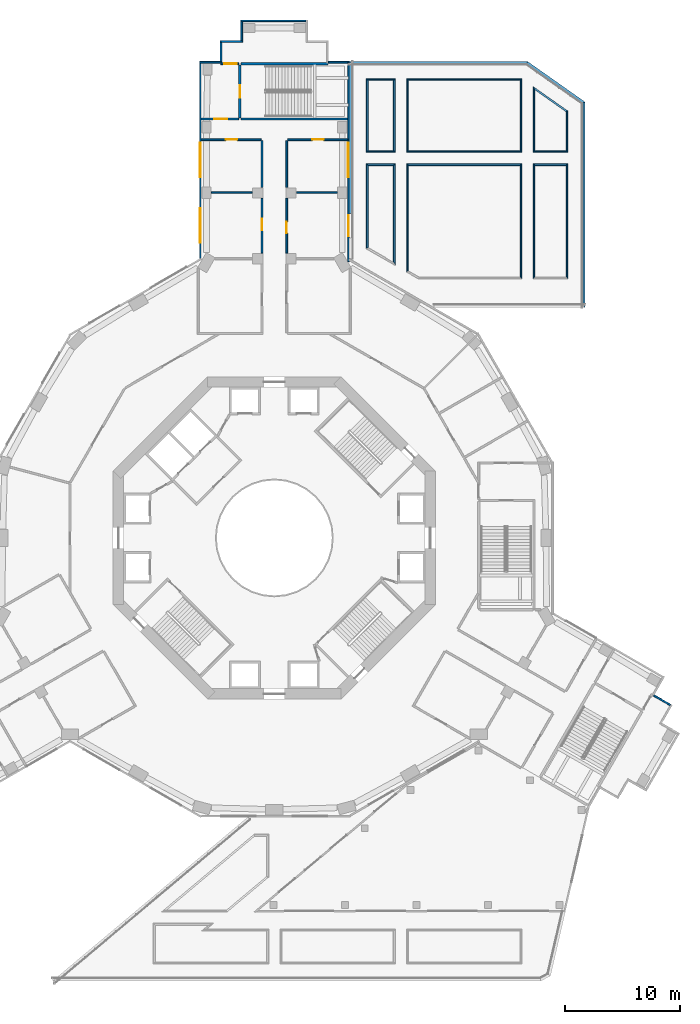
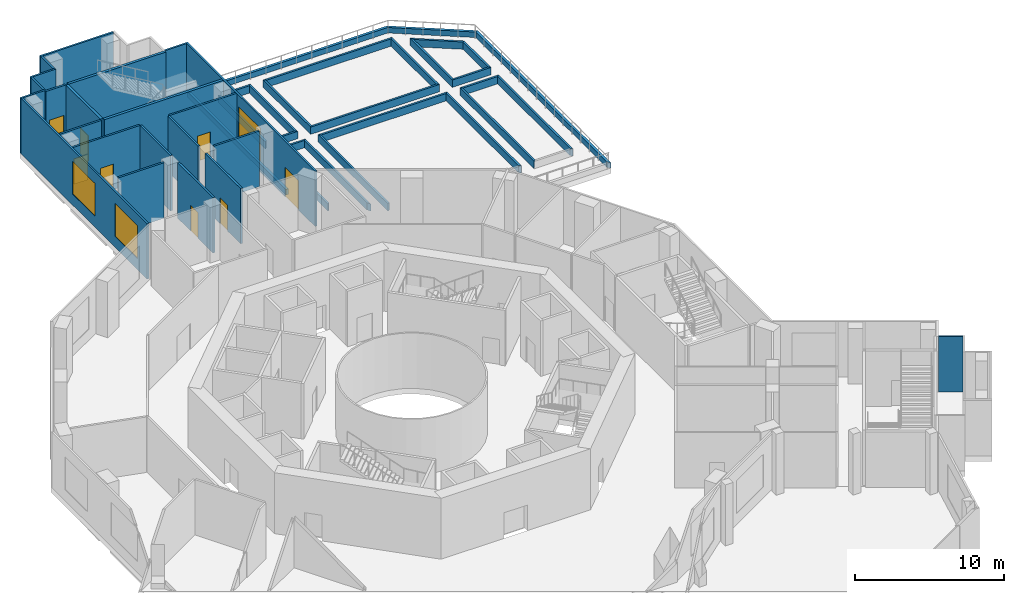
# One storey, part 8 of 24: 47 walls, 8 doors, 3 windows, 11 openings.
"""IFC4 building model written with IfcOpenShell, lengths in metres."""

from ifc_helpers import new_model, si_unit, direction, frame, frame_2d, origin, place, context, subcontext, project, spatial, polyline, rectangle, outline, extrude, material, layer, layer_set, type_object, element, fill, save


model = new_model("IFC4")

# Units and contexts
model_context = context("Model", 3, precision=1e-05, world=origin(), true_north=direction((0.0, 1.0)))
body_context = subcontext(model_context, "Body", "Model", "MODEL_VIEW")
ifc_project = project(units=[si_unit("LENGTHUNIT", "METRE"), si_unit("AREAUNIT", "SQUARE_METRE"), si_unit("VOLUMEUNIT", "CUBIC_METRE"), si_unit("PLANEANGLEUNIT", "RADIAN"), si_unit("MASSUNIT", "GRAM", prefix="KILO")], contexts=[model_context])

# Site, building, storey
site_placement = place(None, origin())
site = spatial("IfcSite", under=ifc_project, at=site_placement, CompositionType="ELEMENT")
building_placement = place(site_placement, origin())
building = spatial("IfcBuilding", under=site, at=building_placement, Name="Verdalira Terraces Hotel", CompositionType="ELEMENT")
storey_placement = place(building_placement, frame((0.0, 0.0, 14.0)))
storey = spatial("IfcBuildingStorey", under=building, at=storey_placement, Name="L02", CompositionType="ELEMENT", Elevation=14.0)

# Wall, opening, door
ifc_material_1 = material(Name="Gypsum board partition on steel stud", Category="steel")
ifc_layer_1 = layer(ifc_material_1, 0.14990234375)
ifc_layer_set_1 = layer_set([ifc_layer_1], Name="Fire-rated partition 150 mm")
wall_type_1 = type_object("IfcWallType", Name="Fire-rated partition 150 mm", PredefinedType="PARTITIONING", material=ifc_layer_set_1)
wall_1_placement = place(storey_placement, frame((-1.149902, 34.600098, 0.0), z_axis=(0.0, 0.0, 1.0), x_axis=(-1.0, 0.0, 0.0)))
wall_1 = element("IfcWall", 1, at=wall_1_placement, inside=storey, type_object=wall_type_1, Name="Partition", PredefinedType="PARTITIONING", context=body_context, shape_type="SweptSolid", body=[
    extrude(rectangle(XDim=5.210205, YDim=0.149902, at=frame_2d((2.60498, 0.0))), origin(), (0.0, 0.0, 1.0), 4.550049),
])
opening_1_placement = place(wall_1_placement, frame((2.060059, 0.0, 0.0)))
opening_1 = element("IfcOpeningElement", 2, at=opening_1_placement, cuts=wall_1, Name="Opening L02-D11", PredefinedType="OPENING", context=body_context, shape_type="SweptSolid", body=[
    extrude(rectangle(XDim=1.0, YDim=2.100098, at=frame_2d((0.5, 1.050049))), frame((0.0, 0.084961, 0.0), z_axis=(0.0, -1.0, 0.0), x_axis=(1.0, 0.0, 0.0)), (0.0, 0.0, 1.0), 0.169922),
])
ifc_material_2 = material(Name="Steel fire door", Category="steel")
door_type_1 = type_object("IfcDoorType", Name="Fire door 1000 x 2100", OperationType="SINGLE_SWING_LEFT", PredefinedType="DOOR", material=ifc_material_2)
door_1_placement = place(opening_1_placement, origin())
door_1 = element("IfcDoor", 3, at=door_1_placement, inside=storey, type_object=door_type_1, Name="Meeting room 203 door", OperationType="SINGLE_SWING_LEFT", OverallHeight=2.10009765625, OverallWidth=1.0, PredefinedType="DOOR", context=body_context, shape_type="SweptSolid", body=[
    extrude(rectangle(XDim=1.0, YDim=2.100098, at=frame_2d((0.5, 1.050049))), frame((0.0, 0.024902, 0.0), z_axis=(0.0, -1.0, 0.0), x_axis=(1.0, 0.0, 0.0)), (0.0, 0.0, 1.0), 0.050049),
])
fill(opening_1, door_1)

wall_2_placement = place(storey_placement, frame((-3.099854, 36.399902, 0.0), z_axis=(0.0, 0.0, 1.0), x_axis=(-1.0, 0.0, 0.0)))
wall_2 = element("IfcWall", 4, at=wall_2_placement, inside=storey, type_object=wall_type_1, Name="Partition", PredefinedType="PARTITIONING", context=body_context, shape_type="SweptSolid", body=[
    extrude(rectangle(XDim=3.260254, YDim=0.149902, at=frame_2d((1.630127, 0.0))), origin(), (0.0, 0.0, 1.0), 4.550049),
])
opening_2_placement = place(wall_2_placement, frame((1.010254, 0.0, 0.0)))
opening_2 = element("IfcOpeningElement", 5, at=opening_2_placement, cuts=wall_2, Name="Opening L02-D12", PredefinedType="OPENING", context=body_context, shape_type="SweptSolid", body=[
    extrude(rectangle(XDim=1.100098, YDim=2.100098, at=frame_2d((0.550049, 1.050049))), frame((0.0, 0.084961, 0.0), z_axis=(0.0, -1.0, 0.0), x_axis=(1.0, 0.0, 0.0)), (0.0, 0.0, 1.0), 0.169922),
])
ifc_material_3 = material(Name="Steel fire door", Category="steel")
door_type_2 = type_object("IfcDoorType", Name="Stair door 1100 x 2100", OperationType="SINGLE_SWING_LEFT", PredefinedType="DOOR", material=ifc_material_3)
door_2_placement = place(opening_2_placement, origin())
door_2 = element("IfcDoor", 6, at=door_2_placement, inside=storey, type_object=door_type_2, Name="Stair door Stair approach corridor", OperationType="SINGLE_SWING_RIGHT", OverallHeight=2.10009765625, OverallWidth=1.10009765625, PredefinedType="DOOR", context=body_context, shape_type="SweptSolid", body=[
    extrude(rectangle(XDim=1.100098, YDim=2.100098, at=frame_2d((0.550049, 1.050049))), frame((0.0, 0.024902, 0.0), z_axis=(0.0, -1.0, 0.0), x_axis=(1.0, 0.0, 0.0)), (0.0, 0.0, 1.0), 0.050049),
])
fill(opening_2, door_2)

wall_3_placement = place(storey_placement, frame((-4.64502, 41.199951, 0.0), z_axis=(0.0, 0.0, 1.0), x_axis=(1.0, 0.0, 0.0)))
wall_3 = element("IfcWall", 7, at=wall_3_placement, inside=storey, type_object=wall_type_1, Name="Partition", PredefinedType="PARTITIONING", context=body_context, shape_type="SweptSolid", body=[
    extrude(rectangle(XDim=1.545166, YDim=0.149902, at=frame_2d((0.772461, 0.0))), origin(), (0.0, 0.0, 1.0), 4.550049),
])
opening_3_placement = place(wall_3_placement, frame((0.29541, 0.0, 0.0)))
opening_3 = element("IfcOpeningElement", 8, at=opening_3_placement, cuts=wall_3, Name="Opening L02-D13", PredefinedType="OPENING", context=body_context, shape_type="SweptSolid", body=[
    extrude(rectangle(XDim=1.100098, YDim=2.100098, at=frame_2d((0.550049, 1.050049))), frame((0.0, 0.084961, 0.0), z_axis=(0.0, -1.0, 0.0), x_axis=(1.0, 0.0, 0.0)), (0.0, 0.0, 1.0), 0.169922),
])
door_3_placement = place(opening_3_placement, origin())
door_3 = element("IfcDoor", 9, at=door_3_placement, inside=storey, type_object=door_type_2, Name="Stair door Stair vestibule PS1", OperationType="SINGLE_SWING_LEFT", OverallHeight=2.10009765625, OverallWidth=1.10009765625, PredefinedType="DOOR", context=body_context, shape_type="SweptSolid", body=[
    extrude(rectangle(XDim=1.100098, YDim=2.100098, at=frame_2d((0.550049, 1.050049))), frame((0.0, 0.024902, 0.0), z_axis=(0.0, -1.0, 0.0), x_axis=(1.0, 0.0, 0.0)), (0.0, 0.0, 1.0), 0.050049),
])
fill(opening_3, door_3)

# Wall
wall_4_placement = place(storey_placement, frame((-1.929932, 30.0, 0.0), z_axis=(0.0, 0.0, 1.0), x_axis=(-1.0, 0.0, 0.0)))
element("IfcWall", 10, at=wall_4_placement, inside=storey, type_object=wall_type_1, Name="Partition", PredefinedType="PARTITIONING", context=body_context, shape_type="SweptSolid", body=[
    extrude(rectangle(XDim=3.540039, YDim=0.149902, at=frame_2d((1.77002, 0.0))), origin(), (0.0, 0.0, 1.0), 4.550049),
])

# Wall, opening, door
wall_5_placement = place(storey_placement, frame((-1.074951, 24.738281, 0.0), z_axis=(0.0, 0.0, 1.0), x_axis=(0.0, 1.0, 0.0)))
wall_5 = element("IfcWall", 11, at=wall_5_placement, inside=storey, type_object=wall_type_1, Name="Partition", PredefinedType="PARTITIONING", context=body_context, shape_type="SweptSolid", body=[
    extrude(rectangle(XDim=4.753906, YDim=0.149902, at=frame_2d((2.376953, 0.0))), origin(), (0.0, 0.0, 1.0), 4.550049),
])
opening_4_placement = place(wall_5_placement, frame((2.003906, 0.0, 0.0)))
opening_4 = element("IfcOpeningElement", 12, at=opening_4_placement, cuts=wall_5, Name="Opening L02-D16", PredefinedType="OPENING", context=body_context, shape_type="SweptSolid", body=[
    extrude(rectangle(XDim=1.0, YDim=2.100098, at=frame_2d((0.5, 1.050049))), frame((0.0, 0.084961, 0.0), z_axis=(0.0, -1.0, 0.0), x_axis=(1.0, 0.0, 0.0)), (0.0, 0.0, 1.0), 0.169922),
])
door_4_placement = place(opening_4_placement, origin())
door_4 = element("IfcDoor", 13, at=door_4_placement, inside=storey, type_object=door_type_1, Name="Meeting room 202 door", OperationType="SINGLE_SWING_RIGHT", OverallHeight=2.10009765625, OverallWidth=1.0, PredefinedType="DOOR", context=body_context, shape_type="SweptSolid", body=[
    extrude(rectangle(XDim=1.0, YDim=2.100098, at=frame_2d((0.5, 1.050049))), frame((0.0, 0.024902, 0.0), z_axis=(0.0, -1.0, 0.0), x_axis=(1.0, 0.0, 0.0)), (0.0, 0.0, 1.0), 0.050049),
])
fill(opening_4, door_4)

# Wall
wall_6_placement = place(storey_placement, frame((-1.074951, 34.524902, 0.0), z_axis=(0.0, 0.0, 1.0), x_axis=(0.0, -1.0, 0.0)))
element("IfcWall", 14, at=wall_6_placement, inside=storey, type_object=wall_type_1, Name="Partition", PredefinedType="PARTITIONING", context=body_context, shape_type="SweptSolid", body=[
    extrude(rectangle(XDim=4.072754, YDim=0.149902, at=frame_2d((2.036377, 0.0))), origin(), (0.0, 0.0, 1.0), 4.550049),
])

# Wall, opening, door
wall_7_placement = place(storey_placement, frame((1.074951, 29.492188, 0.0), z_axis=(0.0, 0.0, 1.0), x_axis=(0.0, -1.0, 0.0)))
wall_7 = element("IfcWall", 15, at=wall_7_placement, inside=storey, type_object=wall_type_1, Name="Partition", PredefinedType="PARTITIONING", context=body_context, shape_type="SweptSolid", body=[
    extrude(rectangle(XDim=4.753906, YDim=0.149902, at=frame_2d((2.376953, 0.0))), origin(), (0.0, 0.0, 1.0), 4.550049),
])
opening_5_placement = place(wall_7_placement, frame((2.003906, 0.0, 0.0)))
opening_5 = element("IfcOpeningElement", 16, at=opening_5_placement, cuts=wall_7, Name="Opening L02-D18", PredefinedType="OPENING", context=body_context, shape_type="SweptSolid", body=[
    extrude(rectangle(XDim=1.0, YDim=2.100098, at=frame_2d((0.5, 1.050049))), frame((0.0, 0.084961, 0.0), z_axis=(0.0, -1.0, 0.0), x_axis=(1.0, 0.0, 0.0)), (0.0, 0.0, 1.0), 0.169922),
])
door_5_placement = place(opening_5_placement, origin())
door_5 = element("IfcDoor", 17, at=door_5_placement, inside=storey, type_object=door_type_1, Name="Meeting room 205 door", OperationType="SINGLE_SWING_RIGHT", OverallHeight=2.10009765625, OverallWidth=1.0, PredefinedType="DOOR", context=body_context, shape_type="SweptSolid", body=[
    extrude(rectangle(XDim=1.0, YDim=2.100098, at=frame_2d((0.5, 1.050049))), frame((0.0, 0.024902, 0.0), z_axis=(0.0, -1.0, 0.0), x_axis=(1.0, 0.0, 0.0)), (0.0, 0.0, 1.0), 0.050049),
])
fill(opening_5, door_5)

# Wall
wall_8_placement = place(storey_placement, frame((1.074951, 30.452148, 0.0), z_axis=(0.0, 0.0, 1.0), x_axis=(0.0, 1.0, 0.0)))
element("IfcWall", 18, at=wall_8_placement, inside=storey, type_object=wall_type_1, Name="Partition", PredefinedType="PARTITIONING", context=body_context, shape_type="SweptSolid", body=[
    extrude(rectangle(XDim=4.072754, YDim=0.149902, at=frame_2d((2.036377, 0.0))), origin(), (0.0, 0.0, 1.0), 4.550049),
])

# Wall, opening, door
wall_9_placement = place(storey_placement, frame((6.360107, 34.600098, 0.0), z_axis=(0.0, 0.0, 1.0), x_axis=(-1.0, 0.0, 0.0)))
wall_9 = element("IfcWall", 19, at=wall_9_placement, inside=storey, type_object=wall_type_1, Name="Partition", PredefinedType="PARTITIONING", context=body_context, shape_type="SweptSolid", body=[
    extrude(rectangle(XDim=5.210205, YDim=0.149902, at=frame_2d((2.60498, 0.0))), origin(), (0.0, 0.0, 1.0), 4.550049),
])
opening_6_placement = place(wall_9_placement, frame((2.060059, 0.0, 0.0)))
opening_6 = element("IfcOpeningElement", 20, at=opening_6_placement, cuts=wall_9, Name="Opening L02-D19", PredefinedType="OPENING", context=body_context, shape_type="SweptSolid", body=[
    extrude(rectangle(XDim=1.0, YDim=2.100098, at=frame_2d((0.5, 1.050049))), frame((0.0, 0.084961, 0.0), z_axis=(0.0, -1.0, 0.0), x_axis=(1.0, 0.0, 0.0)), (0.0, 0.0, 1.0), 0.169922),
])
door_6_placement = place(opening_6_placement, origin())
door_6 = element("IfcDoor", 21, at=door_6_placement, inside=storey, type_object=door_type_1, Name="Meeting room 206 door", OperationType="SINGLE_SWING_LEFT", OverallHeight=2.10009765625, OverallWidth=1.0, PredefinedType="DOOR", context=body_context, shape_type="SweptSolid", body=[
    extrude(rectangle(XDim=1.0, YDim=2.100098, at=frame_2d((0.5, 1.050049))), frame((0.0, 0.024902, 0.0), z_axis=(0.0, -1.0, 0.0), x_axis=(1.0, 0.0, 0.0)), (0.0, 0.0, 1.0), 0.050049),
])
fill(opening_6, door_6)

# Walls
wall_10_placement = place(storey_placement, frame((5.469971, 30.0, 0.0), z_axis=(0.0, 0.0, 1.0), x_axis=(-1.0, 0.0, 0.0)))
element("IfcWall", 22, at=wall_10_placement, inside=storey, type_object=wall_type_1, Name="Partition", PredefinedType="PARTITIONING", context=body_context, shape_type="SweptSolid", body=[
    extrude(rectangle(XDim=3.540039, YDim=0.149902, at=frame_2d((1.77002, 0.0))), origin(), (0.0, 0.0, 1.0), 4.550049),
])
ifc_material_4 = material(Name="Concrete C50", Category="concrete")
ifc_layer_2 = layer(ifc_material_4, 0.199951171875)
ifc_layer_set_2 = layer_set([ifc_layer_2], Name="Stair enclosure wall 200 mm")
wall_type_2 = type_object("IfcWallType", Name="Stair enclosure wall 200 mm", PredefinedType="SOLIDWALL", material=ifc_layer_set_2)
wall_11_placement = place(storey_placement, frame((-2.900146, 36.399902, 0.0), z_axis=(0.0, 0.0, 1.0), x_axis=(1.0, 0.0, 0.0)))
element("IfcWall", 23, at=wall_11_placement, inside=storey, type_object=wall_type_2, Name="Stair enclosure wall", PredefinedType="SOLIDWALL", context=body_context, shape_type="SweptSolid", body=[
    extrude(rectangle(XDim=9.260254, YDim=0.199951, at=frame_2d((4.630127, 0.0))), origin(), (0.0, 0.0, 1.0), 4.550049),
])

# Wall, opening, door
wall_12_placement = place(storey_placement, frame((-3.0, 36.5, 0.0), z_axis=(0.0, 0.0, 1.0), x_axis=(0.0, 1.0, 0.0)))
wall_12 = element("IfcWall", 24, at=wall_12_placement, inside=storey, type_object=wall_type_2, Name="Stair enclosure wall", PredefinedType="SOLIDWALL", context=body_context, shape_type="SweptSolid", body=[
    extrude(rectangle(XDim=4.600098, YDim=0.199951, at=frame_2d((2.300049, 0.0))), origin(), (0.0, 0.0, 1.0), 4.550049),
])
opening_7_placement = place(wall_12_placement, frame((1.75, 0.0, 0.0)))
opening_7 = element("IfcOpeningElement", 25, at=opening_7_placement, cuts=wall_12, Name="Opening L02-D14", PredefinedType="OPENING", context=body_context, shape_type="SweptSolid", body=[
    extrude(rectangle(XDim=1.100098, YDim=2.100098, at=frame_2d((0.550049, 1.050049))), frame((0.0, 0.109863, 0.0), z_axis=(0.0, -1.0, 0.0), x_axis=(1.0, 0.0, 0.0)), (0.0, 0.0, 1.0), 0.219971),
])
door_7_placement = place(opening_7_placement, origin())
door_7 = element("IfcDoor", 26, at=door_7_placement, inside=storey, type_object=door_type_2, Name="Stair door Stair lobby PS1", OperationType="SINGLE_SWING_RIGHT", OverallHeight=2.10009765625, OverallWidth=1.10009765625, PredefinedType="DOOR", context=body_context, shape_type="SweptSolid", body=[
    extrude(rectangle(XDim=1.100098, YDim=2.100098, at=frame_2d((0.550049, 1.050049))), frame((0.0, 0.024902, 0.0), z_axis=(0.0, -1.0, 0.0), x_axis=(1.0, 0.0, 0.0)), (0.0, 0.0, 1.0), 0.050049),
])
fill(opening_7, door_7)

# Walls
wall_13_placement = place(storey_placement, frame((4.64502, 41.199951, 0.0), z_axis=(0.0, 0.0, 1.0), x_axis=(-1.0, 0.0, 0.0)))
element("IfcWall", 27, at=wall_13_placement, inside=storey, type_object=wall_type_2, Name="Stair enclosure wall", PredefinedType="SOLIDWALL", context=body_context, shape_type="SweptSolid", body=[
    extrude(rectangle(XDim=7.545166, YDim=0.199951, at=frame_2d((3.772461, 0.0))), origin(), (0.0, 0.0, 1.0), 4.550049),
])
ifc_material_5 = material(Name="Concrete C40", Category="concrete")
ifc_layer_3 = layer(ifc_material_5, 0.14990234375)
ifc_layer_set_3 = layer_set([ifc_layer_3], Name="Terrace planter trough 150 x 600")
wall_type_3 = type_object("IfcWallType", Name="Terrace planter trough 150 x 600", PredefinedType="SOLIDWALL", material=ifc_layer_set_3)
wall_14_placement = place(storey_placement, origin())
element("IfcWall", 28, at=wall_14_placement, inside=storey, type_object=wall_type_3, Name="Terrace planting bed trough", PredefinedType="SOLIDWALL", context=body_context, shape_type="SweptSolid", body=[
    extrude(outline(polyline([(21.5, 22.5), (21.5, 32.5), (21.350098, 32.350098), (21.350098, 22.649902), (21.5, 22.5)])), origin(), (0.0, 0.0, 1.0), 0.600098),
])
wall_15_placement = place(storey_placement, origin())
element("IfcWall", 29, at=wall_15_placement, inside=storey, type_object=wall_type_3, Name="Terrace planting bed trough", PredefinedType="SOLIDWALL", context=body_context, shape_type="SweptSolid", body=[
    extrude(outline(polyline([(21.5, 32.5), (11.5, 32.5), (11.649902, 32.350098), (21.350098, 32.350098), (21.5, 32.5)])), origin(), (0.0, 0.0, 1.0), 0.600098),
])
wall_16_placement = place(storey_placement, origin())
element("IfcWall", 30, at=wall_16_placement, inside=storey, type_object=wall_type_3, Name="Terrace planting bed trough", PredefinedType="SOLIDWALL", context=body_context, shape_type="SweptSolid", body=[
    extrude(outline(polyline([(11.5, 32.5), (11.5, 23.103516), (11.649902, 23.190186), (11.649902, 32.350098), (11.5, 32.5)])), origin(), (0.0, 0.0, 1.0), 0.600098),
])
wall_17_placement = place(storey_placement, origin())
element("IfcWall", 31, at=wall_17_placement, inside=storey, type_object=wall_type_3, Name="Terrace planting bed trough", PredefinedType="SOLIDWALL", context=body_context, shape_type="SweptSolid", body=[
    extrude(outline(polyline([(10.5, 23.680908), (10.5, 32.5), (10.350098, 32.350098), (10.350098, 23.940918), (10.5, 23.680908)])), origin(), (0.0, 0.0, 1.0), 0.600098),
])
wall_18_placement = place(storey_placement, origin())
element("IfcWall", 32, at=wall_18_placement, inside=storey, type_object=wall_type_3, Name="Terrace planting bed trough", PredefinedType="SOLIDWALL", context=body_context, shape_type="SweptSolid", body=[
    extrude(outline(polyline([(10.5, 32.5), (8.0, 32.5), (8.149902, 32.350098), (10.350098, 32.350098), (10.5, 32.5)])), origin(), (0.0, 0.0, 1.0), 0.600098),
])
wall_19_placement = place(storey_placement, origin())
element("IfcWall", 33, at=wall_19_placement, inside=storey, type_object=wall_type_3, Name="Terrace planting bed trough", PredefinedType="SOLIDWALL", context=body_context, shape_type="SweptSolid", body=[
    extrude(outline(polyline([(8.0, 32.5), (8.0, 25.124512), (8.149902, 25.210938), (8.149902, 32.350098), (8.0, 32.5)])), origin(), (0.0, 0.0, 1.0), 0.600098),
])
wall_20_placement = place(storey_placement, origin())
element("IfcWall", 34, at=wall_20_placement, inside=storey, type_object=wall_type_3, Name="Terrace planting bed trough", PredefinedType="SOLIDWALL", context=body_context, shape_type="SweptSolid", body=[
    extrude(outline(polyline([(8.0, 39.899902), (8.0, 33.5), (8.149902, 33.649902), (8.149902, 39.75), (8.0, 39.899902)])), origin(), (0.0, 0.0, 1.0), 0.600098),
])
wall_21_placement = place(storey_placement, origin())
element("IfcWall", 35, at=wall_21_placement, inside=storey, type_object=wall_type_3, Name="Terrace planting bed trough", PredefinedType="SOLIDWALL", context=body_context, shape_type="SweptSolid", body=[
    extrude(outline(polyline([(8.0, 33.5), (10.5, 33.5), (10.350098, 33.649902), (8.149902, 33.649902), (8.0, 33.5)])), origin(), (0.0, 0.0, 1.0), 0.600098),
])
wall_22_placement = place(storey_placement, origin())
element("IfcWall", 36, at=wall_22_placement, inside=storey, type_object=wall_type_3, Name="Terrace planting bed trough", PredefinedType="SOLIDWALL", context=body_context, shape_type="SweptSolid", body=[
    extrude(outline(polyline([(10.5, 33.5), (10.5, 39.899902), (10.350098, 39.75), (10.350098, 33.649902), (10.5, 33.5)])), origin(), (0.0, 0.0, 1.0), 0.600098),
])
wall_23_placement = place(storey_placement, origin())
element("IfcWall", 37, at=wall_23_placement, inside=storey, type_object=wall_type_3, Name="Terrace planting bed trough", PredefinedType="SOLIDWALL", context=body_context, shape_type="SweptSolid", body=[
    extrude(outline(polyline([(10.5, 39.899902), (8.0, 39.899902), (8.149902, 39.75), (10.350098, 39.75), (10.5, 39.899902)])), origin(), (0.0, 0.0, 1.0), 0.600098),
])
wall_24_placement = place(storey_placement, origin())
element("IfcWall", 38, at=wall_24_placement, inside=storey, type_object=wall_type_3, Name="Terrace planting bed trough", PredefinedType="SOLIDWALL", context=body_context, shape_type="SweptSolid", body=[
    extrude(outline(polyline([(21.5, 39.899902), (11.5, 39.899902), (11.649902, 39.75), (21.350098, 39.75), (21.5, 39.899902)])), origin(), (0.0, 0.0, 1.0), 0.600098),
])
wall_25_placement = place(storey_placement, origin())
element("IfcWall", 39, at=wall_25_placement, inside=storey, type_object=wall_type_3, Name="Terrace planting bed trough", PredefinedType="SOLIDWALL", context=body_context, shape_type="SweptSolid", body=[
    extrude(outline(polyline([(11.5, 39.899902), (11.5, 33.5), (11.649902, 33.649902), (11.649902, 39.75), (11.5, 39.899902)])), origin(), (0.0, 0.0, 1.0), 0.600098),
])
wall_26_placement = place(storey_placement, origin())
element("IfcWall", 40, at=wall_26_placement, inside=storey, type_object=wall_type_3, Name="Terrace planting bed trough", PredefinedType="SOLIDWALL", context=body_context, shape_type="SweptSolid", body=[
    extrude(outline(polyline([(11.5, 33.5), (21.5, 33.5), (21.350098, 33.649902), (11.649902, 33.649902), (11.5, 33.5)])), origin(), (0.0, 0.0, 1.0), 0.600098),
])
wall_27_placement = place(storey_placement, origin())
element("IfcWall", 41, at=wall_27_placement, inside=storey, type_object=wall_type_3, Name="Terrace planting bed trough", PredefinedType="SOLIDWALL", context=body_context, shape_type="SweptSolid", body=[
    extrude(outline(polyline([(21.5, 33.5), (21.5, 39.899902), (21.350098, 39.75), (21.350098, 33.649902), (21.5, 33.5)])), origin(), (0.0, 0.0, 1.0), 0.600098),
])
wall_28_placement = place(storey_placement, origin())
element("IfcWall", 42, at=wall_28_placement, inside=storey, type_object=wall_type_3, Name="Terrace planting bed trough", PredefinedType="SOLIDWALL", context=body_context, shape_type="SweptSolid", body=[
    extrude(outline(polyline([(25.5, 37.098145), (22.5, 39.212402), (22.649902, 38.92334), (25.350098, 37.020508), (25.5, 37.098145)])), origin(), (0.0, 0.0, 1.0), 0.600098),
])
wall_29_placement = place(storey_placement, origin())
element("IfcWall", 43, at=wall_29_placement, inside=storey, type_object=wall_type_3, Name="Terrace planting bed trough", PredefinedType="SOLIDWALL", context=body_context, shape_type="SweptSolid", body=[
    extrude(outline(polyline([(22.5, 39.212402), (22.5, 33.5), (22.649902, 33.649902), (22.649902, 38.92334), (22.5, 39.212402)])), origin(), (0.0, 0.0, 1.0), 0.600098),
])
wall_30_placement = place(storey_placement, origin())
element("IfcWall", 44, at=wall_30_placement, inside=storey, type_object=wall_type_3, Name="Terrace planting bed trough", PredefinedType="SOLIDWALL", context=body_context, shape_type="SweptSolid", body=[
    extrude(outline(polyline([(22.5, 33.5), (25.5, 33.5), (25.350098, 33.649902), (22.649902, 33.649902), (22.5, 33.5)])), origin(), (0.0, 0.0, 1.0), 0.600098),
])
wall_31_placement = place(storey_placement, origin())
element("IfcWall", 45, at=wall_31_placement, inside=storey, type_object=wall_type_3, Name="Terrace planting bed trough", PredefinedType="SOLIDWALL", context=body_context, shape_type="SweptSolid", body=[
    extrude(outline(polyline([(25.5, 33.5), (25.5, 37.098145), (25.350098, 37.020508), (25.350098, 33.649902), (25.5, 33.5)])), origin(), (0.0, 0.0, 1.0), 0.600098),
])
wall_32_placement = place(storey_placement, origin())
element("IfcWall", 46, at=wall_32_placement, inside=storey, type_object=wall_type_3, Name="Terrace planting bed trough", PredefinedType="SOLIDWALL", context=body_context, shape_type="SweptSolid", body=[
    extrude(outline(polyline([(25.5, 22.5), (25.5, 32.5), (25.350098, 32.350098), (25.350098, 22.649902), (25.5, 22.5)])), origin(), (0.0, 0.0, 1.0), 0.600098),
])
wall_33_placement = place(storey_placement, origin())
element("IfcWall", 47, at=wall_33_placement, inside=storey, type_object=wall_type_3, Name="Terrace planting bed trough", PredefinedType="SOLIDWALL", context=body_context, shape_type="SweptSolid", body=[
    extrude(outline(polyline([(25.5, 32.5), (22.5, 32.5), (22.649902, 32.350098), (25.350098, 32.350098), (25.5, 32.5)])), origin(), (0.0, 0.0, 1.0), 0.600098),
])
wall_34_placement = place(storey_placement, origin())
element("IfcWall", 48, at=wall_34_placement, inside=storey, type_object=wall_type_3, Name="Terrace planting bed trough", PredefinedType="SOLIDWALL", context=body_context, shape_type="SweptSolid", body=[
    extrude(outline(polyline([(22.5, 32.5), (22.5, 22.5), (22.649902, 22.649902), (22.649902, 32.350098), (22.5, 32.5)])), origin(), (0.0, 0.0, 1.0), 0.600098),
])
ifc_material_6 = material(Name="Concrete C40", Category="concrete")
ifc_layer_4 = layer(ifc_material_6, 0.199951171875)
ifc_layer_set_4 = layer_set([ifc_layer_4], Name="Terrace upstand 200 x 450")
wall_type_4 = type_object("IfcWallType", Name="Terrace upstand 200 x 450", PredefinedType="SOLIDWALL", material=ifc_layer_set_4)
wall_35_placement = place(storey_placement, origin())
element("IfcWall", 49, at=wall_35_placement, inside=storey, type_object=wall_type_4, Name="Terrace upstand", PredefinedType="SOLIDWALL", context=body_context, shape_type="SweptSolid", body=[
    extrude(outline(polyline([(26.800049, 20.199951), (27.0, 20.0), (27.0, 37.876221), (26.800049, 37.772461), (26.800049, 20.199951)])), origin(), (0.0, 0.0, 1.0), 0.449951),
])
wall_36_placement = place(storey_placement, origin())
element("IfcWall", 50, at=wall_36_placement, inside=storey, type_object=wall_type_4, Name="Terrace upstand", PredefinedType="SOLIDWALL", context=body_context, shape_type="SweptSolid", body=[
    extrude(outline(polyline([(26.800049, 37.772461), (27.0, 37.876221), (22.0, 41.399902), (21.936523, 41.199951), (26.800049, 37.772461)])), origin(), (0.0, 0.0, 1.0), 0.449951),
])
wall_37_placement = place(storey_placement, origin())
element("IfcWall", 51, at=wall_37_placement, inside=storey, type_object=wall_type_4, Name="Terrace upstand", PredefinedType="SOLIDWALL", context=body_context, shape_type="SweptSolid", body=[
    extrude(outline(polyline([(21.936523, 41.199951), (22.0, 41.399902), (6.5, 41.399902), (6.699951, 41.199951), (21.936523, 41.199951)])), origin(), (0.0, 0.0, 1.0), 0.449951),
])
wall_38_placement = place(storey_placement, origin())
element("IfcWall", 52, at=wall_38_placement, inside=storey, type_object=wall_type_4, Name="Terrace upstand", PredefinedType="SOLIDWALL", context=body_context, shape_type="SweptSolid", body=[
    extrude(outline(polyline([(6.5, 41.399902), (6.5, 28.179199), (6.699951, 28.179199), (6.699951, 41.199951), (6.5, 41.399902)])), origin(), (0.0, 0.0, 1.0), 0.449951),
])

# Wall, openings, window, door
ifc_material_7 = material(Name="Concrete C40", Category="concrete")
ifc_layer_5 = layer(ifc_material_7, 0.139892578125)
ifc_layer_set_5 = layer_set([ifc_layer_5], Name="Terracotta clad concrete wall C40 140 mm")
wall_type_5 = type_object("IfcWallType", Name="Terracotta clad concrete wall C40 140 mm", PredefinedType="SOLIDWALL", material=ifc_layer_set_5)
wall_39_placement = place(storey_placement, frame((6.429932, 23.995117, 0.0), z_axis=(0.0, 0.0, 1.0), x_axis=(0.0, 1.0, 0.0)))
wall_39 = element("IfcWall", 53, at=wall_39_placement, inside=storey, type_object=wall_type_5, Name="Podium facade wall", PredefinedType="SOLIDWALL", context=body_context, shape_type="SweptSolid", body=[
    extrude(rectangle(XDim=17.404785, YDim=0.139893, at=frame_2d((8.702393, 0.0))), origin(), (0.0, 0.0, 1.0), 4.550049),
])
opening_8_placement = place(wall_39_placement, frame((2.234131, 0.0, 0.0)))
opening_8 = element("IfcOpeningElement", 54, at=opening_8_placement, cuts=wall_39, Name="Opening L02-T01", PredefinedType="OPENING", context=body_context, shape_type="SweptSolid", body=[
    extrude(rectangle(XDim=1.800049, YDim=2.399902, at=frame_2d((0.899902, 1.199951))), frame((0.0, 0.079834, 0.0), z_axis=(0.0, -1.0, 0.0), x_axis=(1.0, 0.0, 0.0)), (0.0, 0.0, 1.0), 0.159912),
])
opening_9_placement = place(wall_39_placement, frame((7.333984, 0.0, 0.899902)))
opening_9 = element("IfcOpeningElement", 55, at=opening_9_placement, cuts=wall_39, Name="Opening WP", PredefinedType="OPENING", context=body_context, shape_type="SweptSolid", body=[
    extrude(rectangle(XDim=3.0, YDim=2.699951, at=frame_2d((1.5, 1.350098))), frame((0.0, 0.079834, 0.0), z_axis=(0.0, -1.0, 0.0), x_axis=(1.0, 0.0, 0.0)), (0.0, 0.0, 1.0), 0.159912),
])
ifc_material_8 = material(Name="Clear double glazing in aluminium frame", Category="aluminium")
window_type = type_object("IfcWindowType", Name="Podium window 3000 x 2700", PartitioningType="SINGLE_PANEL", PredefinedType="WINDOW", material=ifc_material_8)
window_1_placement = place(opening_9_placement, origin())
window_1 = element("IfcWindow", 56, at=window_1_placement, inside=storey, type_object=window_type, Name="Podium window", OverallHeight=2.699951171875, OverallWidth=3.0, PartitioningType="SINGLE_PANEL", PredefinedType="WINDOW", context=body_context, shape_type="SweptSolid", body=[
    extrude(rectangle(XDim=3.0, YDim=2.699951, at=frame_2d((1.5, 1.350098))), frame((0.0, 0.030029, 0.0), z_axis=(0.0, -1.0, 0.0), x_axis=(1.0, 0.0, 0.0)), (0.0, 0.0, 1.0), 0.060059),
])
fill(opening_9, window_1)
ifc_material_9 = material(Name="Glazed aluminium door", Category="aluminium")
door_type_3 = type_object("IfcDoorType", Name="Terrace door pair 1800 x 2400", OperationType="DOUBLE_DOOR_SINGLE_SWING", PredefinedType="DOOR", material=ifc_material_9)
door_8_placement = place(opening_8_placement, origin())
door_8 = element("IfcDoor", 57, at=door_8_placement, inside=storey, type_object=door_type_3, Name="Terrace door", OperationType="DOUBLE_DOOR_SINGLE_SWING", OverallHeight=2.39990234375, OverallWidth=1.800048828125, PredefinedType="DOOR", context=body_context, shape_type="SweptSolid", body=[
    extrude(rectangle(XDim=1.800049, YDim=2.399902, at=frame_2d((0.899902, 1.199951))), frame((0.0, 0.024902, 0.0), z_axis=(0.0, -1.0, 0.0), x_axis=(1.0, 0.0, 0.0)), (0.0, 0.0, 1.0), 0.050049),
])
fill(opening_8, door_8)

# Walls
wall_40_placement = place(storey_placement, frame((6.360107, 41.330078, 0.0), z_axis=(0.0, 0.0, 1.0), x_axis=(-1.0, 0.0, 0.0)))
element("IfcWall", 58, at=wall_40_placement, inside=storey, type_object=wall_type_5, Name="Podium facade wall", PredefinedType="SOLIDWALL", context=body_context, shape_type="SweptSolid", body=[
    extrude(rectangle(XDim=1.660156, YDim=0.139893, at=frame_2d((0.830078, 0.0))), origin(), (0.0, 0.0, 1.0), 4.550049),
])
ifc_material_10 = material(Name="Terracotta cladding on steel stud backup", Category="masonry")
ifc_layer_6 = layer(ifc_material_10, 0.139892578125)
ifc_layer_set_6 = layer_set([ifc_layer_6], Name="Terracotta clad wall 140 mm")
wall_type_6 = type_object("IfcWallType", Name="Terracotta clad wall 140 mm", PredefinedType="SOLIDWALL", material=ifc_layer_set_6)
wall_41_placement = place(storey_placement, frame((34.409912, -14.520264, 0.0), z_axis=(0.0, 0.0, 1.0), x_axis=(-0.865989634, 0.500061949, 0.0)))
element("IfcWall", 59, at=wall_41_placement, inside=storey, type_object=wall_type_6, Name="Podium facade wall", PredefinedType="SOLIDWALL", context=body_context, shape_type="SweptSolid", body=[
    extrude(rectangle(XDim=1.659912, YDim=0.139893, at=frame_2d((0.830078, 0.0))), origin(), (0.0, 0.0, 1.0), 4.550049),
])
wall_42_placement = place(storey_placement, frame((2.76001, 44.929932, 0.0), z_axis=(0.0, 0.0, 1.0), x_axis=(-1.0, 0.0, 0.0)))
element("IfcWall", 60, at=wall_42_placement, inside=storey, type_object=wall_type_6, Name="Podium facade wall", PredefinedType="SOLIDWALL", context=body_context, shape_type="SweptSolid", body=[
    extrude(rectangle(XDim=5.659912, YDim=0.139893, at=frame_2d((2.830078, 0.0))), origin(), (0.0, 0.0, 1.0), 4.550049),
])
wall_43_placement = place(storey_placement, frame((-2.830078, 44.860107, 0.0), z_axis=(0.0, 0.0, 1.0), x_axis=(0.0, -1.0, 0.0)))
element("IfcWall", 61, at=wall_43_placement, inside=storey, type_object=wall_type_6, Name="Podium facade wall", PredefinedType="SOLIDWALL", context=body_context, shape_type="SweptSolid", body=[
    extrude(rectangle(XDim=1.660156, YDim=0.139893, at=frame_2d((0.830078, 0.0))), origin(), (0.0, 0.0, 1.0), 4.550049),
])
wall_44_placement = place(storey_placement, frame((-2.76001, 43.129883, 0.0), z_axis=(0.0, 0.0, 1.0), x_axis=(-1.0, 0.0, 0.0)))
element("IfcWall", 62, at=wall_44_placement, inside=storey, type_object=wall_type_6, Name="Podium facade wall", PredefinedType="SOLIDWALL", context=body_context, shape_type="SweptSolid", body=[
    extrude(rectangle(XDim=1.939941, YDim=0.139893, at=frame_2d((0.969971, 0.0))), origin(), (0.0, 0.0, 1.0), 4.550049),
])
wall_45_placement = place(storey_placement, frame((-4.629883, 43.060059, 0.0), z_axis=(0.0, 0.0, 1.0), x_axis=(0.0, -1.0, 0.0)))
element("IfcWall", 63, at=wall_45_placement, inside=storey, type_object=wall_type_6, Name="Podium facade wall", PredefinedType="SOLIDWALL", context=body_context, shape_type="SweptSolid", body=[
    extrude(rectangle(XDim=1.660156, YDim=0.139893, at=frame_2d((0.830078, 0.0))), origin(), (0.0, 0.0, 1.0), 4.550049),
])
wall_46_placement = place(storey_placement, frame((-4.560059, 41.330078, 0.0), z_axis=(0.0, 0.0, 1.0), x_axis=(-1.0, 0.0, 0.0)))
element("IfcWall", 64, at=wall_46_placement, inside=storey, type_object=wall_type_6, Name="Podium facade wall", PredefinedType="SOLIDWALL", context=body_context, shape_type="SweptSolid", body=[
    extrude(rectangle(XDim=1.939941, YDim=0.139893, at=frame_2d((0.969971, 0.0))), origin(), (0.0, 0.0, 1.0), 4.550049),
])

# Wall, openings, windows
wall_47_placement = place(storey_placement, frame((-6.429932, 41.26001, 0.0), z_axis=(0.0, 0.0, 1.0), x_axis=(0.0, -1.0, 0.0)))
wall_47 = element("IfcWall", 65, at=wall_47_placement, inside=storey, type_object=wall_type_6, Name="Podium facade wall", PredefinedType="SOLIDWALL", context=body_context, shape_type="SweptSolid", body=[
    extrude(rectangle(XDim=16.961426, YDim=0.139893, at=frame_2d((8.480713, 0.0))), origin(), (0.0, 0.0, 1.0), 4.550049),
])
opening_10_placement = place(wall_47_placement, frame((6.930908, 0.0, 0.899902)))
opening_10 = element("IfcOpeningElement", 66, at=opening_10_placement, cuts=wall_47, Name="Opening WP", PredefinedType="OPENING", context=body_context, shape_type="SweptSolid", body=[
    extrude(rectangle(XDim=3.0, YDim=2.699951, at=frame_2d((1.5, 1.350098))), frame((0.0, 0.079834, 0.0), z_axis=(0.0, -1.0, 0.0), x_axis=(1.0, 0.0, 0.0)), (0.0, 0.0, 1.0), 0.159912),
])
opening_11_placement = place(wall_47_placement, frame((12.630615, 0.0, 0.899902)))
opening_11 = element("IfcOpeningElement", 67, at=opening_11_placement, cuts=wall_47, Name="Opening WP", PredefinedType="OPENING", context=body_context, shape_type="SweptSolid", body=[
    extrude(rectangle(XDim=3.0, YDim=2.699951, at=frame_2d((1.5, 1.350098))), frame((0.0, 0.079834, 0.0), z_axis=(0.0, -1.0, 0.0), x_axis=(1.0, 0.0, 0.0)), (0.0, 0.0, 1.0), 0.159912),
])
window_2_placement = place(opening_10_placement, origin())
window_2 = element("IfcWindow", 68, at=window_2_placement, inside=storey, type_object=window_type, Name="Podium window", OverallHeight=2.699951171875, OverallWidth=3.0, PartitioningType="SINGLE_PANEL", PredefinedType="WINDOW", context=body_context, shape_type="SweptSolid", body=[
    extrude(rectangle(XDim=3.0, YDim=2.699951, at=frame_2d((1.5, 1.350098))), frame((0.0, 0.030029, 0.0), z_axis=(0.0, -1.0, 0.0), x_axis=(1.0, 0.0, 0.0)), (0.0, 0.0, 1.0), 0.060059),
])
fill(opening_10, window_2)
window_3_placement = place(opening_11_placement, origin())
window_3 = element("IfcWindow", 69, at=window_3_placement, inside=storey, type_object=window_type, Name="Podium window", OverallHeight=2.699951171875, OverallWidth=3.0, PartitioningType="SINGLE_PANEL", PredefinedType="WINDOW", context=body_context, shape_type="SweptSolid", body=[
    extrude(rectangle(XDim=3.0, YDim=2.699951, at=frame_2d((1.5, 1.350098))), frame((0.0, 0.030029, 0.0), z_axis=(0.0, -1.0, 0.0), x_axis=(1.0, 0.0, 0.0)), (0.0, 0.0, 1.0), 0.060059),
])
fill(opening_11, window_3)

save(model, "model.ifc")
